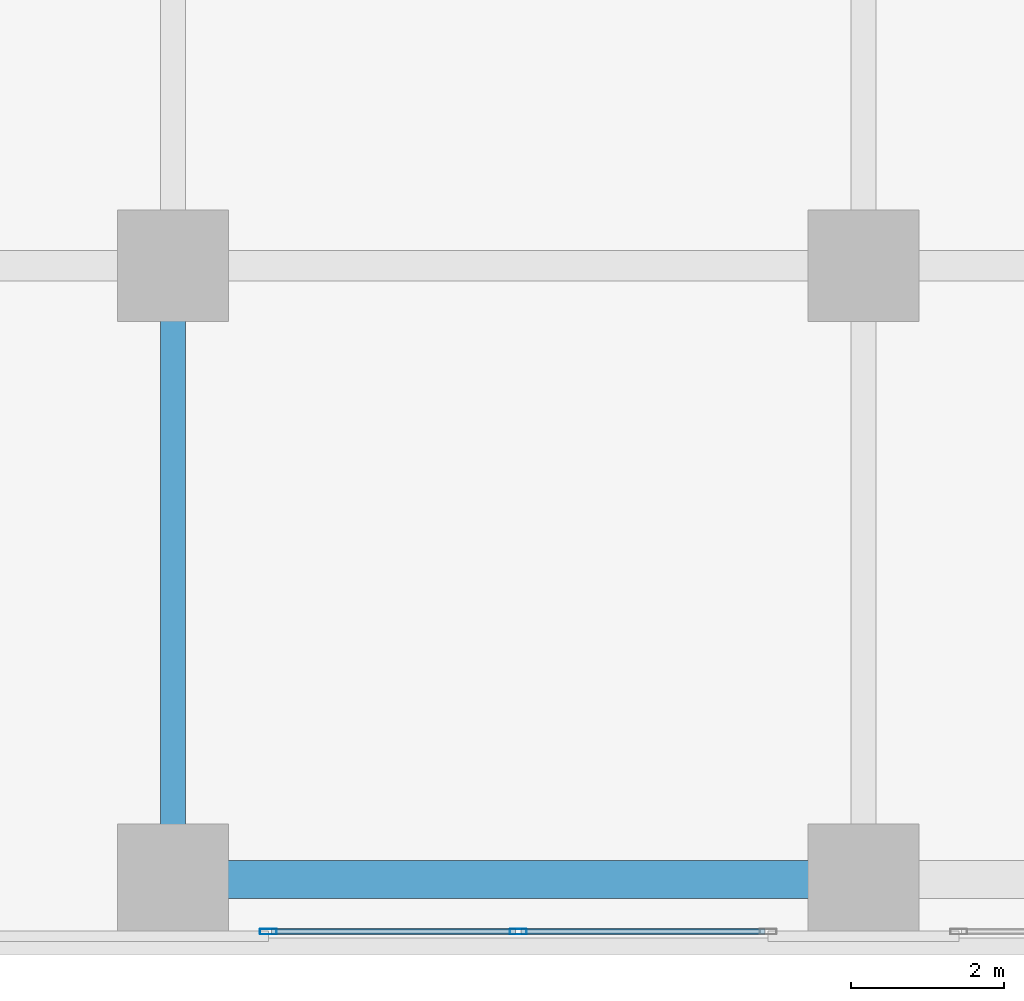
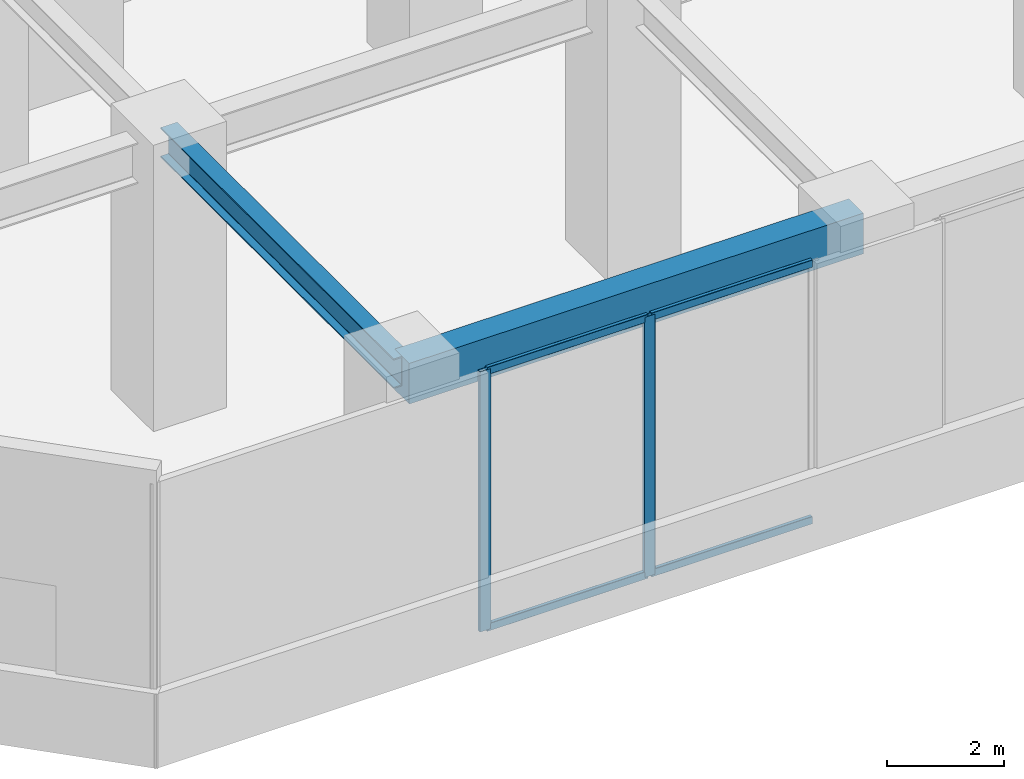
# One storey, part 2 of 34: 6 members, 2 beams, 1 element without a shape of its own.
"""IFC4 building model written with IfcOpenShell, lengths in metres."""

from ifc_helpers import new_model, si_unit, direction, frame, origin, origin_2d, place, context, subcontext, project, spatial, rectangle, hollow_rectangle, i_section, extrude, source, transform, mapped, material, material_profile, profile_set, type_object, element, aggregate, save


model = new_model("IFC4")

# Units and contexts
model_context = context("Model", 3, precision=1e-05, world=origin(), true_north=direction((0.0, 1.0)))
body_context = subcontext(model_context, "Body", "Model", "MODEL_VIEW")
ifc_project = project(units=[si_unit("LENGTHUNIT", "METRE"), si_unit("AREAUNIT", "SQUARE_METRE"), si_unit("VOLUMEUNIT", "CUBIC_METRE"), si_unit("PLANEANGLEUNIT", "RADIAN"), si_unit("MASSUNIT", "GRAM", prefix="KILO")], contexts=[model_context])

# Site, building, storey
site_placement = place(None, origin())
site = spatial("IfcSite", under=ifc_project, at=site_placement, CompositionType="ELEMENT")
building_placement = place(site_placement, origin())
building = spatial("IfcBuilding", under=site, at=building_placement, Name="Torre Montelarca", CompositionType="ELEMENT")
storey_placement = place(building_placement, frame((0.0, 0.0, 6.0)))
storey = spatial("IfcBuildingStorey", under=building, at=storey_placement, Name="L02", CompositionType="ELEMENT", Elevation=6.0)

# Beams
ifc_material_1 = material(Name="Concrete C55/67", Category="concrete")
ifc_material_profile_1 = material_profile(ifc_material_1, rectangle(XDim=0.5, YDim=0.85009765625, at=origin_2d()), Name="RCB500X850", Category="concrete")
ifc_profile_set_1 = profile_set([ifc_material_profile_1], Name="Concrete C55/67")
beam_type_1 = type_object("IfcBeamType", Name="BM-SP-RC850-EXT", PredefinedType="SPANDREL", material=ifc_profile_set_1)
shared_shape_1 = source(origin(), body_context, "Body", "SweptSolid", [
    extrude(rectangle(XDim=0.5, YDim=0.85009765625, at=origin_2d()), origin(), (0.0, 0.0, 1.0), 9.0),
])
beam_1_placement = place(storey_placement, frame((9.0, 0.0, 5.31494140625), z_axis=(1.0, 0.0, 0.0), x_axis=(0.0, 1.0, 0.0)))
element("IfcBeam", 1, at=beam_1_placement, inside=storey, type_object=beam_type_1, Name="L02 Grid Girder X 9.0-18.0 at Y=0.0", PredefinedType="SPANDREL", context=body_context, shape_type="MappedRepresentation", body=[
    mapped(shared_shape_1, transform((0.0, 0.0, 0.0), scale=1.0)),
])
ifc_material_2 = material(Name="Steel ASTM A992 Grade 50", Category="steel")
ifc_material_profile_2 = material_profile(ifc_material_2, i_section(OverallWidth=0.326904296875, OverallDepth=0.6220703125, WebThickness=0.015380859375, FlangeThickness=0.0244140625, FilletRadius=0.014892578125, at=origin_2d()), Name="W610X195", Category="steel")
ifc_profile_set_2 = profile_set([ifc_material_profile_2], Name="Steel ASTM A992 Grade 50")
beam_type_2 = type_object("IfcBeamType", Name="BM-G-W610H", PredefinedType="BEAM", material=ifc_profile_set_2)
shared_shape_2 = source(origin(), body_context, "Body", "SweptSolid", [
    extrude(i_section(OverallWidth=0.326904296875, OverallDepth=0.6220703125, WebThickness=0.015380859375, FlangeThickness=0.0244140625, FilletRadius=0.014892578125, at=origin_2d()), origin(), (0.0, 0.0, 1.0), 8.0),
])
beam_2_placement = place(storey_placement, frame((9.0, 0.0, 5.428955078125), z_axis=(0.0, 1.0, 0.0), x_axis=(-1.0, 0.0, 0.0)))
element("IfcBeam", 2, at=beam_2_placement, inside=storey, type_object=beam_type_2, Name="L02 Grid Girder Y 0.0-8.0 at X=9.0", PredefinedType="BEAM", context=body_context, shape_type="MappedRepresentation", body=[
    mapped(shared_shape_2, transform((0.0, 0.0, 0.0), scale=1.0)),
])

# Curtain wall, members
ifc_material_3 = material(Name="Insulated low-E laminated glass", Category="glass")
curtain_wall_type = type_object("IfcCurtainWallType", Name="CW-SYS-POD2", PredefinedType="USERDEFINED", material=ifc_material_3)
curtain_wall_placement = place(storey_placement, origin())
curtain_wall = element("IfcCurtainWall", 3, at=curtain_wall_placement, inside=storey, type_object=curtain_wall_type, Name="L02 Curtain Wall Run CW-T3-L02-E01-B1", ObjectType="UNITISED GLAZING", PredefinedType="USERDEFINED")
ifc_material_4 = material(Name="Anodised aluminium AA 6063-T6", Category="aluminium")
ifc_material_profile_3 = material_profile(ifc_material_4, hollow_rectangle(XDim=0.074951171875, YDim=0.219970703125, WallThickness=0.0048828125, InnerFilletRadius=0.0048828125, OuterFilletRadius=0.010009765625, at=origin_2d()), Name="ALU75X220X5", Category="aluminium")
ifc_profile_set_3 = profile_set([ifc_material_profile_3], Name="Anodised aluminium AA 6063-T6")
member_type_1 = type_object("IfcMemberType", Name="CWM-ALU220", PredefinedType="MULLION", material=ifc_profile_set_3)
shared_shape_3 = source(origin(), body_context, "Body", "SweptSolid", [
    extrude(hollow_rectangle(XDim=0.074951171875, YDim=0.219970703125, WallThickness=0.0048828125, InnerFilletRadius=0.0048828125, OuterFilletRadius=0.010009765625, at=origin_2d()), origin(), (0.0, 0.0, 1.0), 5.449951171875),
])
member_1_placement = place(storey_placement, frame((10.242431640625, -0.679931640625, 0.0), z_axis=(0.0, 0.0, 1.0), x_axis=(0.0, 1.0, 0.0)))
member_1 = element("IfcMember", 4, at=member_1_placement, type_object=member_type_1, Name="CW mullion 1", PredefinedType="MULLION", context=body_context, shape_type="MappedRepresentation", body=[
    mapped(shared_shape_3, transform((0.0, 0.0, 0.0), scale=1.0)),
])
member_2_placement = place(storey_placement, frame((13.5, -0.679931640625, 0.0), z_axis=(0.0, 0.0, 1.0), x_axis=(0.0, 1.0, 0.0)))
member_2 = element("IfcMember", 5, at=member_2_placement, type_object=member_type_1, Name="CW mullion 2", PredefinedType="MULLION", context=body_context, shape_type="MappedRepresentation", body=[
    mapped(shared_shape_3, transform((0.0, 0.0, 0.0), scale=1.0)),
])
ifc_material_profile_4 = material_profile(ifc_material_4, hollow_rectangle(XDim=0.074951171875, YDim=0.159912109375, WallThickness=0.0048828125, InnerFilletRadius=0.0048828125, OuterFilletRadius=0.010009765625, at=origin_2d()), Name="ALU75X160X5", Category="aluminium")
ifc_profile_set_4 = profile_set([ifc_material_profile_4], Name="Anodised aluminium AA 6063-T6")
member_type_2 = type_object("IfcMemberType", Name="CWT-ALU160", PredefinedType="USERDEFINED", material=ifc_profile_set_4)
shared_shape_4 = source(origin(), body_context, "Body", "SweptSolid", [
    extrude(hollow_rectangle(XDim=0.074951171875, YDim=0.159912109375, WallThickness=0.0048828125, InnerFilletRadius=0.0048828125, OuterFilletRadius=0.010009765625, at=origin_2d()), origin(), (0.0, 0.0, 1.0), 3.182373046875),
])
member_3_placement = place(storey_placement, frame((10.280029296875, -0.679931640625, 0.03759765625), z_axis=(1.0, 0.0, 0.0), x_axis=(0.0, 1.0, 0.0)))
member_3 = element("IfcMember", 6, at=member_3_placement, type_object=member_type_2, Name="CW transom 1.1", ObjectType="TRANSOM", PredefinedType="USERDEFINED", context=body_context, shape_type="MappedRepresentation", body=[
    mapped(shared_shape_4, transform((0.0, 0.0, 0.0), scale=1.0)),
])
member_4_placement = place(storey_placement, frame((10.280029296875, -0.679931640625, 5.41259765625), z_axis=(1.0, 0.0, 0.0), x_axis=(0.0, 1.0, 0.0)))
member_4 = element("IfcMember", 7, at=member_4_placement, type_object=member_type_2, Name="CW transom 1.2", ObjectType="TRANSOM", PredefinedType="USERDEFINED", context=body_context, shape_type="MappedRepresentation", body=[
    mapped(shared_shape_4, transform((0.0, 0.0, 0.0), scale=1.0)),
])
member_5_placement = place(storey_placement, frame((13.53759765625, -0.679931640625, 0.03759765625), z_axis=(1.0, 0.0, 0.0), x_axis=(0.0, 1.0, 0.0)))
member_5 = element("IfcMember", 8, at=member_5_placement, type_object=member_type_2, Name="CW transom 2.1", ObjectType="TRANSOM", PredefinedType="USERDEFINED", context=body_context, shape_type="MappedRepresentation", body=[
    mapped(shared_shape_4, transform((0.0, 0.0, 0.0), scale=1.0)),
])
member_6_placement = place(storey_placement, frame((13.53759765625, -0.679931640625, 5.41259765625), z_axis=(1.0, 0.0, 0.0), x_axis=(0.0, 1.0, 0.0)))
member_6 = element("IfcMember", 9, at=member_6_placement, type_object=member_type_2, Name="CW transom 2.2", ObjectType="TRANSOM", PredefinedType="USERDEFINED", context=body_context, shape_type="MappedRepresentation", body=[
    mapped(shared_shape_4, transform((0.0, 0.0, 0.0), scale=1.0)),
])
aggregate(curtain_wall, [member_1, member_2, member_3, member_4, member_5, member_6])

save(model, "model.ifc")
